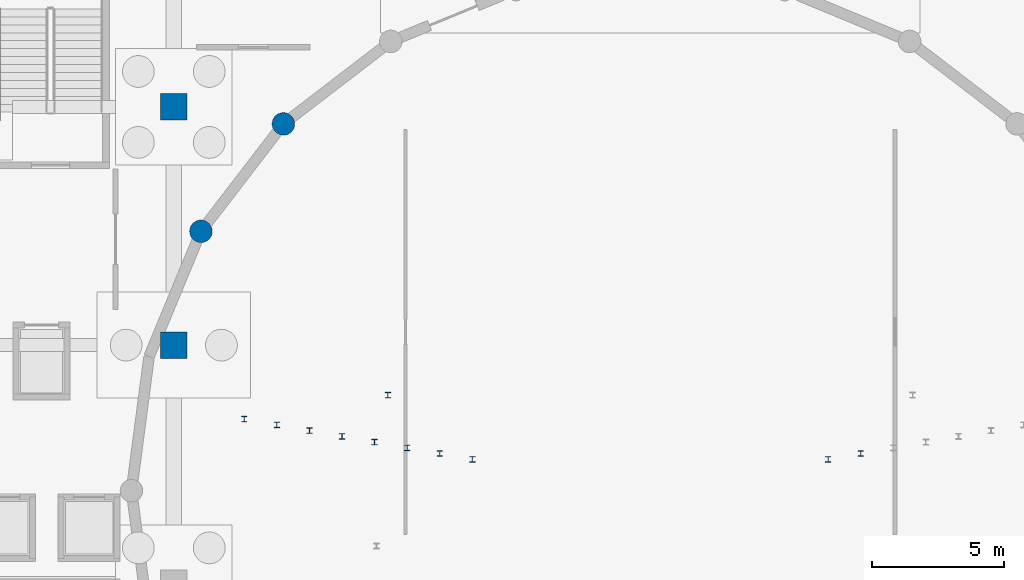
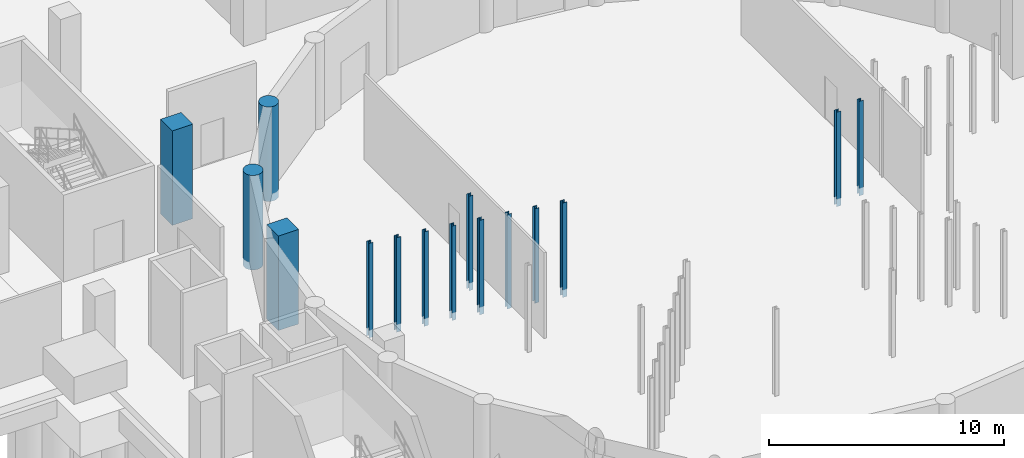
# One storey, part 22 of 40: 15 columns.
"""IFC4 building model written with IfcOpenShell, lengths in metres."""

from ifc_helpers import new_model, si_unit, direction, frame, origin, origin_2d, place, context, subcontext, project, spatial, rectangle, circle, i_section, extrude, material, material_profile, profile_set, type_object, element, save


model = new_model("IFC4")

# Units and contexts
model_context = context("Model", 3, precision=1e-05, world=origin(), true_north=direction((0.0, 1.0)))
body_context = subcontext(model_context, "Body", "Model", "MODEL_VIEW")
ifc_project = project(units=[si_unit("LENGTHUNIT", "METRE"), si_unit("AREAUNIT", "SQUARE_METRE"), si_unit("VOLUMEUNIT", "CUBIC_METRE"), si_unit("PLANEANGLEUNIT", "RADIAN"), si_unit("MASSUNIT", "GRAM", prefix="KILO")], contexts=[model_context])

# Site, building, storey
site_placement = place(None, origin())
site = spatial("IfcSite", under=ifc_project, at=site_placement, CompositionType="ELEMENT")
building_placement = place(site_placement, origin())
building = spatial("IfcBuilding", under=site, at=building_placement, Name="Marnock Terrace Opera House", CompositionType="ELEMENT")
storey_placement = place(building_placement, frame((0.0, 0.0, -4.800048828125)))
storey = spatial("IfcBuildingStorey", under=building, at=storey_placement, Name="B1", CompositionType="ELEMENT", Elevation=-4.800048828125)

# Columns
ifc_material_1 = material(Name="Concrete N50 (f'c = 50 MPa)", Category="concrete")
ifc_material_profile_1 = material_profile(ifc_material_1, circle(Radius=0.425048828125, at=origin_2d()))
ifc_profile_set_1 = profile_set([ifc_material_profile_1], Name="Concrete N50 (f'c = 50 MPa)")
column_type_1 = type_object("IfcColumnType", Name="COL-DRUM-850", PredefinedType="COLUMN", material=ifc_profile_set_1)
for number, where, z_axis, x_axis, name in (
    (1, (68.14111328125, 74.35888671875, -0.39990234375), (0.0, 0.0, 1.0), (1.0, 0.0, 0.0), "B1 auditorium drum pier 10"),
    (2, (65.02587890625, 70.300048828125, -0.39990234375), (0.0, 0.0, 1.0), (1.0, 0.0, 0.0), "B1 auditorium drum pier 11"),
):
    element("IfcColumn", number, at=place(storey_placement, frame(where, z_axis=z_axis, x_axis=x_axis)), inside=storey, type_object=column_type_1, Name=name, PredefinedType="COLUMN", context=body_context, shape_type="SweptSolid", body=[
        extrude(circle(Radius=0.425048828125, at=origin_2d()), origin(), (0.0, 0.0, 1.0), 4.89990234375),
    ])
ifc_material_profile_2 = material_profile(ifc_material_1, rectangle(XDim=1.0, YDim=1.0, at=origin_2d()))
ifc_profile_set_2 = profile_set([ifc_material_profile_2], Name="Concrete N50 (f'c = 50 MPa)")
column_type_2 = type_object("IfcColumnType", Name="COL-RC1000", PredefinedType="COLUMN", material=ifc_profile_set_2)
for number, where, z_axis, x_axis, name in (
    (3, (64.0, 66.0, -0.39990234375), (0.0, 0.0, 1.0), (1.0, 0.0, 0.0), "B1 column at (64.0, 66.0)"),
    (4, (64.0, 75.0, -0.39990234375), (0.0, 0.0, 1.0), (1.0, 0.0, 0.0), "B1 column at (64.0, 75.0)"),
):
    element("IfcColumn", number, at=place(storey_placement, frame(where, z_axis=z_axis, x_axis=x_axis)), inside=storey, type_object=column_type_2, Name=name, PredefinedType="COLUMN", context=body_context, shape_type="SweptSolid", body=[
        extrude(rectangle(XDim=1.0, YDim=1.0, at=origin_2d()), origin(), (0.0, 0.0, 1.0), 4.89990234375),
    ])
ifc_material_2 = material(Name="Steel Grade 350 (AS/NZS 3679.1)", Category="steel")
ifc_material_profile_3 = material_profile(ifc_material_2, i_section(OverallWidth=0.205078125, OverallDepth=0.209716796875, WebThickness=0.00927734375, FlangeThickness=0.01416015625, FilletRadius=0.011474609375, at=origin_2d()))
ifc_profile_set_3 = profile_set([ifc_material_profile_3], Name="Steel Grade 350 (AS/NZS 3679.1)")
column_type_3 = type_object("IfcColumnType", Name="COL-UC200", PredefinedType="COLUMN", material=ifc_profile_set_3)
for number, where, z_axis, x_axis, name in (
    (5, (75.27880859375, 61.68505859375, -0.39990234375), (0.0, 0.0, 1.0), (1.0, 0.0, 0.0), "B1 Stalls tier 1 understage support stanchion 2"),
    (6, (88.72119140625, 61.68505859375, -0.39990234375), (0.0, 0.0, 1.0), (1.0, 0.0, 0.0), "B1 Stalls tier 1 understage support stanchion 22"),
    (7, (74.047607421875, 61.902099609375, -0.39990234375), (0.0, 0.0, 1.0), (1.0, 0.0, 0.0), "B1 Stalls tier 2 understage support stanchion 2"),
    (8, (89.952392578125, 61.902099609375, -0.39990234375), (0.0, 0.0, 1.0), (1.0, 0.0, 0.0), "B1 Stalls tier 2 understage support stanchion 22"),
    (9, (72.816650390625, 62.119384765625, -0.39990234375), (0.0, 0.0, 1.0), (1.0, 0.0, 0.0), "B1 Stalls tier 3 understage support stanchion 2"),
    (10, (71.585693359375, 62.336181640625, -0.39990234375), (0.0, 0.0, 1.0), (1.0, 0.0, 0.0), "B1 Stalls tier 4 understage support stanchion 2"),
    (11, (70.3544921875, 62.553466796875, -0.39990234375), (0.0, 0.0, 1.0), (1.0, 0.0, 0.0), "B1 Stalls tier 5 understage support stanchion 2"),
    (12, (69.12353515625, 62.7705078125, -0.39990234375), (0.0, 0.0, 1.0), (1.0, 0.0, 0.0), "B1 Stalls tier 6 understage support stanchion 2"),
    (13, (67.892578125, 62.987548828125, -0.39990234375), (0.0, 0.0, 1.0), (1.0, 0.0, 0.0), "B1 Stalls tier 7 understage support stanchion 2"),
    (14, (66.66162109375, 63.20458984375, -0.39990234375), (0.0, 0.0, 1.0), (1.0, 0.0, 0.0), "B1 Stalls tier 8 understage support stanchion 2"),
    (15, (72.086181640625, 64.1083984375, -0.39990234375), (0.0, 0.0, 1.0), (1.0, 0.0, 0.0), "B1 Auditorium balcony-front column 1"),
):
    element("IfcColumn", number, at=place(storey_placement, frame(where, z_axis=z_axis, x_axis=x_axis)), inside=storey, type_object=column_type_3, Name=name, PredefinedType="COLUMN", context=body_context, shape_type="SweptSolid", body=[
        extrude(i_section(OverallWidth=0.205078125, OverallDepth=0.209716796875, WebThickness=0.00927734375, FlangeThickness=0.01416015625, FilletRadius=0.011474609375, at=origin_2d()), origin(), (0.0, 0.0, 1.0), 4.89990234375),
    ])

save(model, "model.ifc")
